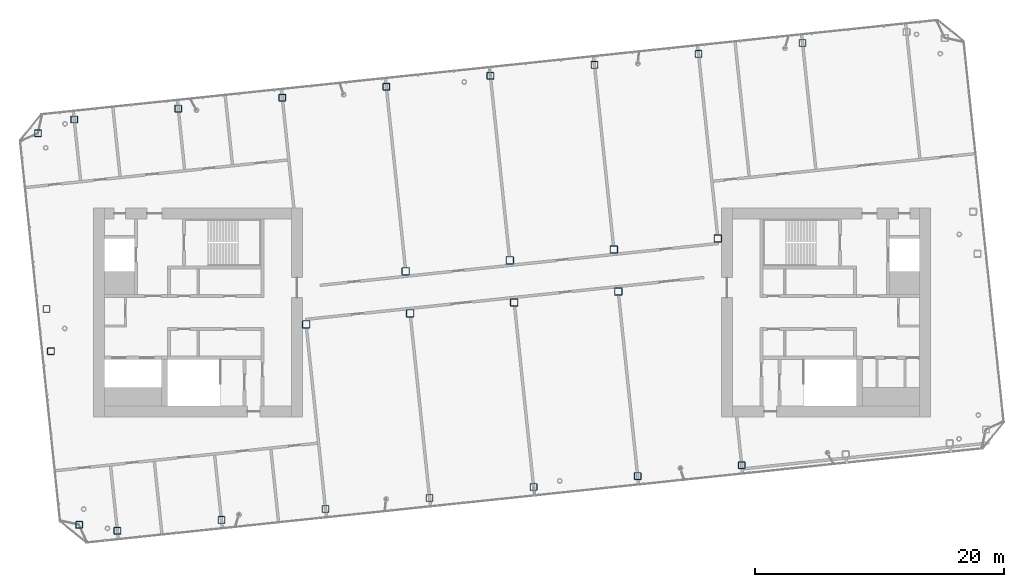
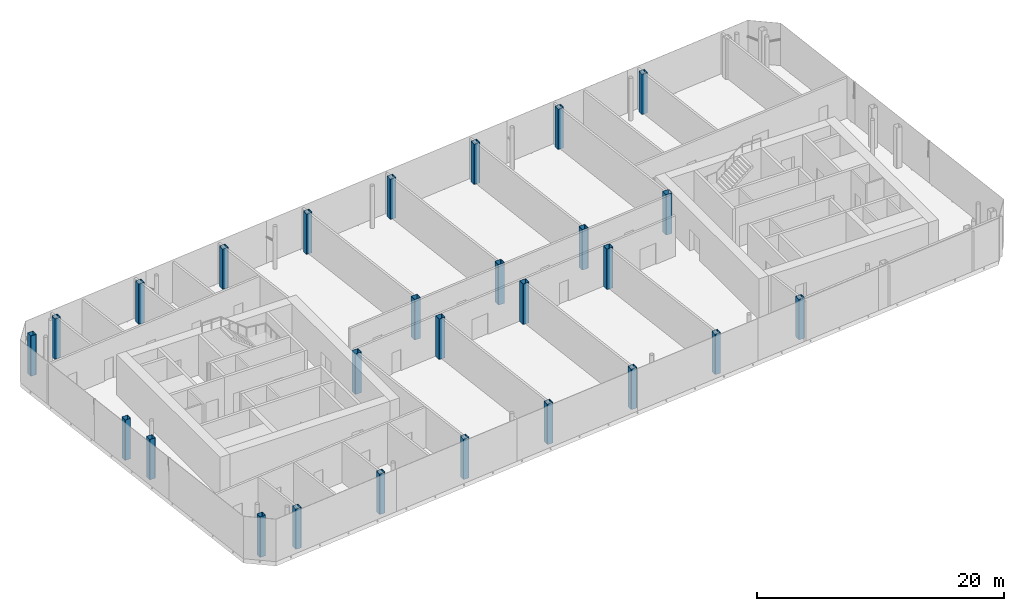
# One storey, part 1 of 28: 27 columns.
"""IFC4 building model written with IfcOpenShell, lengths in metres."""

from ifc_helpers import new_model, si_unit, direction, frame, origin, origin_2d, place, context, subcontext, project, spatial, hollow_rectangle, extrude, material, material_profile, profile_set, type_object, element, save


model = new_model("IFC4")

# Units and contexts
model_context = context("Model", 3, precision=1e-05, world=origin(), true_north=direction((0.0, 1.0)))
body_context = subcontext(model_context, "Body", "Model", "MODEL_VIEW")
ifc_project = project(units=[si_unit("LENGTHUNIT", "METRE"), si_unit("AREAUNIT", "SQUARE_METRE"), si_unit("VOLUMEUNIT", "CUBIC_METRE"), si_unit("PLANEANGLEUNIT", "RADIAN"), si_unit("MASSUNIT", "GRAM", prefix="KILO")], contexts=[model_context])

# Site, building, storey
site_placement = place(None, origin())
site = spatial("IfcSite", under=ifc_project, at=site_placement, CompositionType="ELEMENT")
building_placement = place(site_placement, origin())
building = spatial("IfcBuilding", under=site, at=building_placement, Name="Hakoniwa Tower and Hamabe Station Hall", CompositionType="ELEMENT")
storey_placement = place(building_placement, frame((0.0, 0.0, 280.800048828125)))
storey = spatial("IfcBuildingStorey", under=building, at=storey_placement, Name="L78", CompositionType="ELEMENT", Elevation=280.800048828125)

# Columns
ifc_material_1 = material(Name="Steel BCP325", Category="steel")
ifc_material_profile_1 = material_profile(ifc_material_1, hollow_rectangle(XDim=0.550048828125, YDim=0.550048828125, WallThickness=0.02197265625, InnerFilletRadius=0.032958984375, OuterFilletRadius=0.054931640625, at=origin_2d()), Name="BCP-550x550x22")
ifc_profile_set_1 = profile_set([ifc_material_profile_1], Name="Steel BCP325")
column_type_1 = type_object("IfcColumnType", Name="COLUMN BCP-550x550x22", PredefinedType="COLUMN", material=ifc_profile_set_1)
for number, where, z_axis, x_axis, name in (
    (1, (-34.750732421875, -17.04248046875, 0.0), (0.0, 0.0, 1.0), (1.0, 0.0, 0.0), "Column B5-EW-A5"),
    (2, (-37.017333984375, -3.10009765625, 0.0), (0.0, 0.0, 1.0), (1.0, 0.0, 0.0), "Column B5-EW-C5"),
    (3, (-37.372802734375, 0.28125, 0.0), (0.0, 0.0, 1.0), (1.0, 0.0, 0.0), "Column B5-EW-D5"),
    (4, (-38.054443359375, 14.390380859375, 0.0), (0.0, 0.0, 1.0), (1.0, 0.0, 0.0), "Column B5-EW-F5"),
    (5, (-31.680908203125, -17.521240234375, 0.0), (0.0, 0.0, 1.0), (1.0, 0.0, 0.0), "Column B5-3-A5"),
    (6, (-35.151123046875, 15.496826171875, 0.0), (0.0, 0.0, 1.0), (1.0, 0.0, 0.0), "Column B5-3-F5"),
    (7, (-23.326904296875, -16.643310546875, 0.0), (0.0, 0.0, 1.0), (1.0, 0.0, 0.0), "Column B5-4-A5"),
    (8, (-26.797119140625, 16.375, 0.0), (0.0, 0.0, 1.0), (1.0, 0.0, 0.0), "Column B5-4-F5"),
    (9, (-14.972900390625, -15.76513671875, 0.0), (0.0, 0.0, 1.0), (1.0, 0.0, 0.0), "Column B5-5-A5"),
    (10, (-18.443115234375, 17.2529296875, 0.0), (0.0, 0.0, 1.0), (1.0, 0.0, 0.0), "Column B5-5-F5"),
    (11, (-6.618896484375, -14.88720703125, 0.0), (0.0, 0.0, 1.0), (1.0, 0.0, 0.0), "Column B5-6-A5"),
    (12, (-10.089111328125, 18.131103515625, 0.0), (0.0, 0.0, 1.0), (1.0, 0.0, 0.0), "Column B5-6-F5"),
    (13, (1.735107421875, -14.009033203125, 0.0), (0.0, 0.0, 1.0), (1.0, 0.0, 0.0), "Column B5-7-A5"),
    (14, (-1.735107421875, 19.009033203125, 0.0), (0.0, 0.0, 1.0), (1.0, 0.0, 0.0), "Column B5-7-F5"),
    (15, (10.089111328125, -13.131103515625, 0.0), (0.0, 0.0, 1.0), (1.0, 0.0, 0.0), "Column B5-8-A5"),
    (16, (6.618896484375, 19.88720703125, 0.0), (0.0, 0.0, 1.0), (1.0, 0.0, 0.0), "Column B5-8-F5"),
    (17, (18.443115234375, -12.2529296875, 0.0), (0.0, 0.0, 1.0), (1.0, 0.0, 0.0), "Column B5-9-A5"),
    (18, (14.972900390625, 20.76513671875, 0.0), (0.0, 0.0, 1.0), (1.0, 0.0, 0.0), "Column B5-9-F5"),
    (19, (23.326904296875, 21.643310546875, 0.0), (0.0, 0.0, 1.0), (1.0, 0.0, 0.0), "Column B5-10-F5"),
):
    element("IfcColumn", number, at=place(storey_placement, frame(where, z_axis=z_axis, x_axis=x_axis)), inside=storey, type_object=column_type_1, Name=name, PredefinedType="COLUMN", context=body_context, shape_type="SweptSolid", body=[
        extrude(hollow_rectangle(XDim=0.550048828125, YDim=0.550048828125, WallThickness=0.02197265625, InnerFilletRadius=0.032958984375, OuterFilletRadius=0.054931640625, at=origin_2d()), origin(), (0.0, 0.0, 1.0), 4.0),
    ])
ifc_material_2 = material(Name="Steel BCP325", Category="steel")
ifc_material_profile_2 = material_profile(ifc_material_2, hollow_rectangle(XDim=0.60009765625, YDim=0.60009765625, WallThickness=0.02490234375, InnerFilletRadius=0.03759765625, OuterFilletRadius=0.0625, at=origin_2d()), Name="BCP-600x600x25")
ifc_profile_set_2 = profile_set([ifc_material_profile_2], Name="Steel BCP325")
column_type_2 = type_object("IfcColumnType", Name="COLUMN BCP-600x600x25", PredefinedType="COLUMN", material=ifc_profile_set_2)
for number, where, z_axis, x_axis, name in (
    (20, (-16.5302734375, -0.94677734375, 0.0), (0.0, 0.0, 1.0), (1.0, 0.0, 0.0), "Column B5-5-C5"),
    (21, (-8.17626953125, -0.068603515625, 0.0), (0.0, 0.0, 1.0), (1.0, 0.0, 0.0), "Column B5-6-C5"),
    (22, (-8.53173828125, 3.3125, 0.0), (0.0, 0.0, 1.0), (1.0, 0.0, 0.0), "Column B5-6-D5"),
    (23, (0.177734375, 0.809326171875, 0.0), (0.0, 0.0, 1.0), (1.0, 0.0, 0.0), "Column B5-7-C5"),
    (24, (-0.177734375, 4.190673828125, 0.0), (0.0, 0.0, 1.0), (1.0, 0.0, 0.0), "Column B5-7-D5"),
    (25, (8.53173828125, 1.6875, 0.0), (0.0, 0.0, 1.0), (1.0, 0.0, 0.0), "Column B5-8-C5"),
    (26, (8.17626953125, 5.068603515625, 0.0), (0.0, 0.0, 1.0), (1.0, 0.0, 0.0), "Column B5-8-D5"),
    (27, (16.5302734375, 5.94677734375, 0.0), (0.0, 0.0, 1.0), (1.0, 0.0, 0.0), "Column B5-9-D5"),
):
    element("IfcColumn", number, at=place(storey_placement, frame(where, z_axis=z_axis, x_axis=x_axis)), inside=storey, type_object=column_type_2, Name=name, PredefinedType="COLUMN", context=body_context, shape_type="SweptSolid", body=[
        extrude(hollow_rectangle(XDim=0.60009765625, YDim=0.60009765625, WallThickness=0.02490234375, InnerFilletRadius=0.03759765625, OuterFilletRadius=0.0625, at=origin_2d()), origin(), (0.0, 0.0, 1.0), 4.0),
    ])

save(model, "model.ifc")
